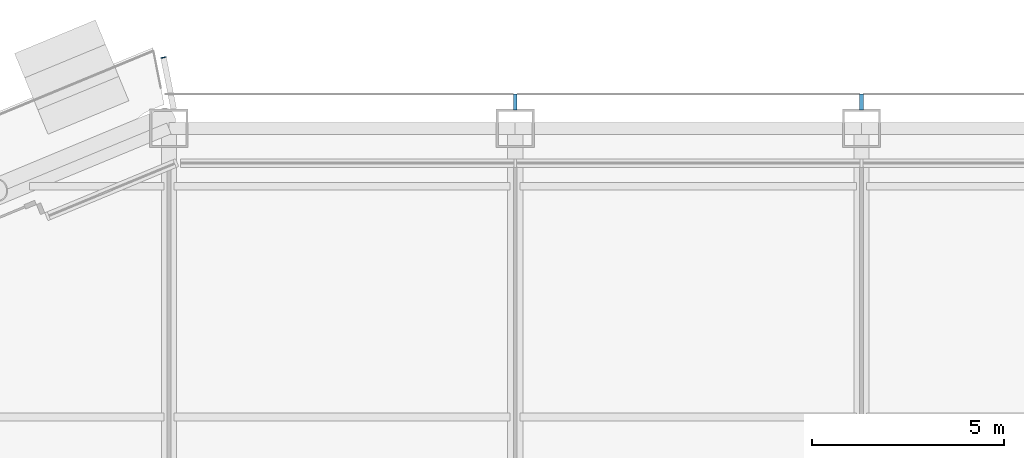
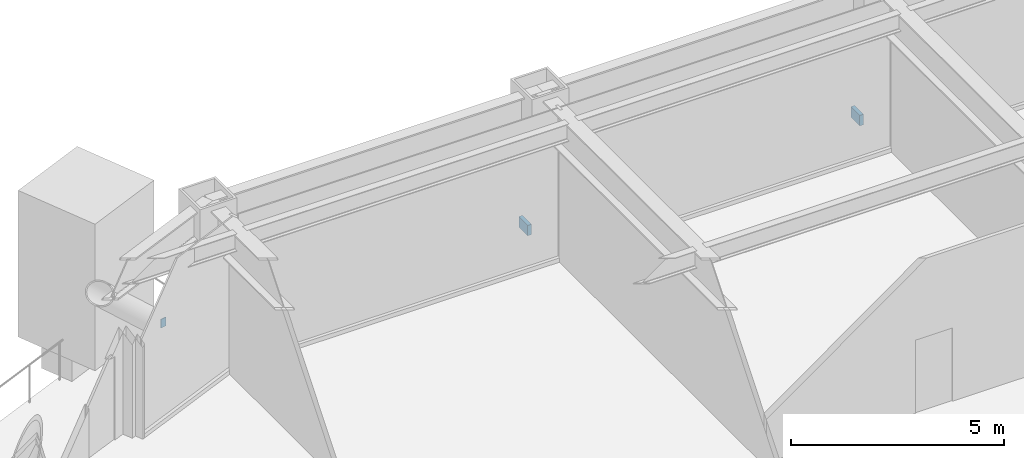
# One storey, part 21 of 28: 3 discrete accessories.
"""IFC4 building model written with IfcOpenShell, lengths in metres."""

from ifc_helpers import new_model, si_unit, direction, frame, origin, origin_2d, place, context, subcontext, project, spatial, rectangle, extrude, material, layer, layer_set, type_object, element, save


model = new_model("IFC4")

# Units and contexts
model_context = context("Model", 3, precision=1e-05, world=origin(), true_north=direction((0.0, 1.0)))
body_context = subcontext(model_context, "Body", "Model", "MODEL_VIEW")
ifc_project = project(units=[si_unit("LENGTHUNIT", "METRE"), si_unit("AREAUNIT", "SQUARE_METRE"), si_unit("VOLUMEUNIT", "CUBIC_METRE"), si_unit("PLANEANGLEUNIT", "RADIAN"), si_unit("MASSUNIT", "GRAM", prefix="KILO")], contexts=[model_context])

# Site, building, storey
site_placement = place(None, origin())
site = spatial("IfcSite", under=ifc_project, at=site_placement, CompositionType="ELEMENT")
building_placement = place(site_placement, origin())
building = spatial("IfcBuilding", under=site, at=building_placement, Name="Siwar Civic Tower", CompositionType="ELEMENT")
storey_placement = place(building_placement, frame((0.0, 0.0, 85.199951171875)))
storey = spatial("IfcBuildingStorey", under=building, at=storey_placement, Name="L18", CompositionType="ELEMENT", Elevation=85.199951171875)

# Discrete accessories
ifc_material_1 = material(Name="Stainless steel 316", Category="steel")
discrete_accessory_type_1 = type_object("IfcDiscreteAccessoryType", Name="ENV-BRACKET", PredefinedType="BRACKET", material=ifc_material_1)
for number, where, z_axis, x_axis, name in (
    (1, (-4.5, 32.18994140625, -0.14990234375), (0.0, 0.0, 1.0), (0.0, 1.0, 0.0), "Bracket outer skin joint N-03"),
    (2, (-13.5, 32.18994140625, -0.14990234375), (0.0, 0.0, 1.0), (0.0, 1.0, 0.0), "Bracket outer skin joint N-04"),
):
    element("IfcDiscreteAccessory", number, at=place(storey_placement, frame(where, z_axis=z_axis, x_axis=x_axis)), inside=storey, type_object=discrete_accessory_type_1, Name=name, PredefinedType="BRACKET", context=body_context, shape_type="SweptSolid", body=[
        extrude(rectangle(XDim=0.419921875, YDim=0.10009765625, at=origin_2d()), origin(), (0.0, 0.0, 1.0), 0.300048828125),
    ])
ifc_material_2 = material(Name="Steel S355", Category="steel")
ifc_layer = layer(ifc_material_2, 0.02001953125)
ifc_layer_set = layer_set([ifc_layer], Name="Steel S355")
discrete_accessory_type_2 = type_object("IfcDiscreteAccessoryType", Name="STR-END-CAP", PredefinedType="USERDEFINED", material=ifc_layer_set)
discrete_accessory_placement = place(storey_placement, frame((-22.642578125, 33.3447265625, -0.39990234375), z_axis=(0.0, 0.0, 1.0), x_axis=(-0.195090322119, 0.980785280383, 0.0)))
element("IfcDiscreteAccessory", 3, at=discrete_accessory_placement, inside=storey, type_object=discrete_accessory_type_2, Name="End cap plate Balcony cantilever beam NW 1", ObjectType="END CAP PLATE", PredefinedType="USERDEFINED", context=body_context, shape_type="SweptSolid", body=[
    extrude(rectangle(XDim=0.02001953125, YDim=0.14990234375, at=origin_2d()), origin(), (0.0, 0.0, 1.0), 0.25),
])

save(model, "model.ifc")
